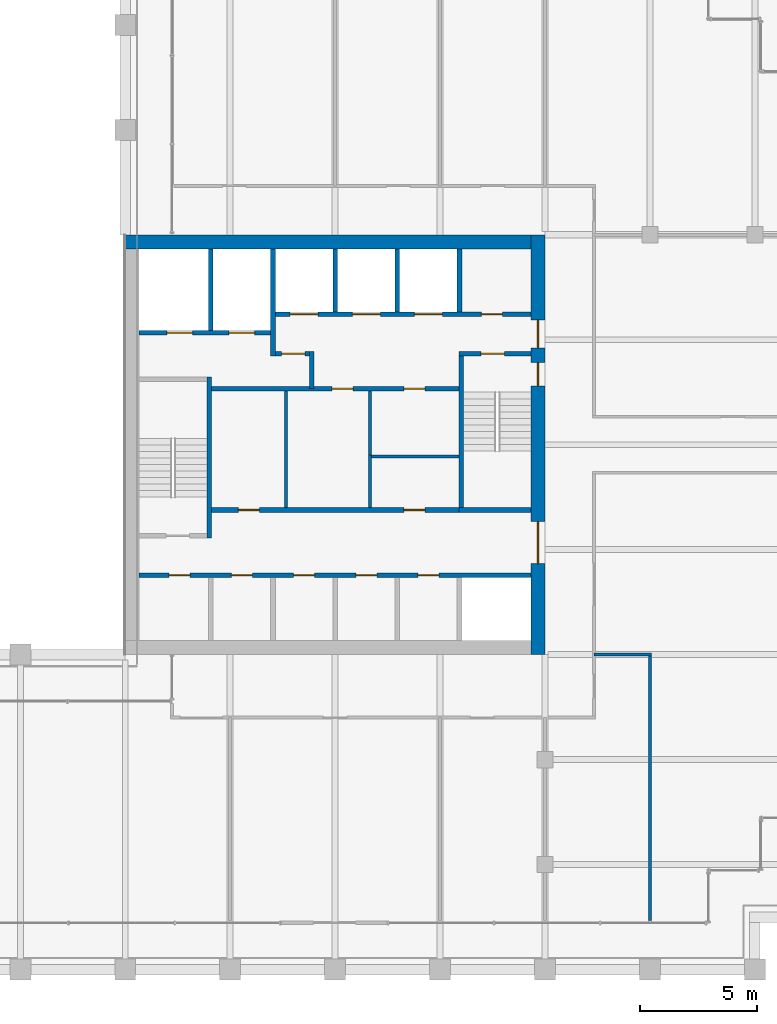
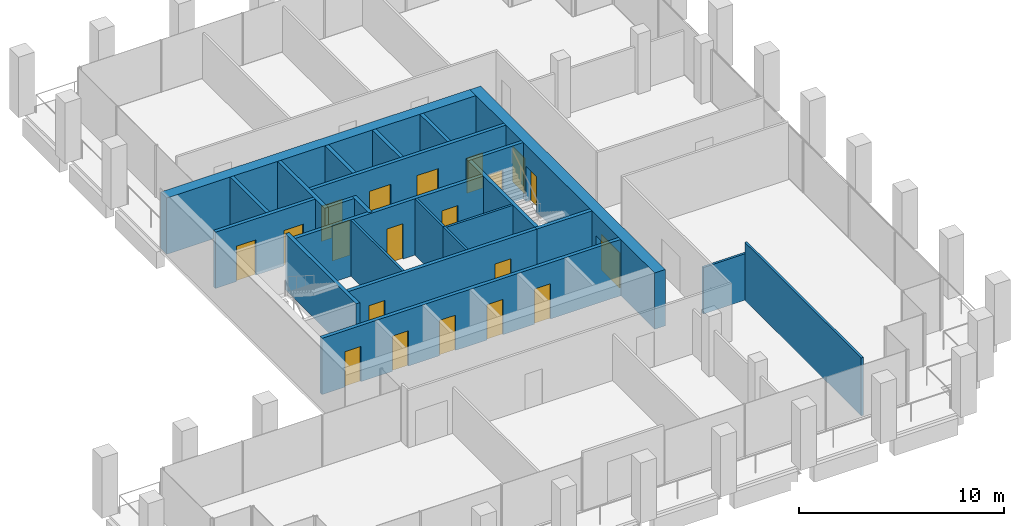
# One storey, part 36 of 40: 24 walls, 20 doors, 20 openings.
"""IFC4 building model written with IfcOpenShell, lengths in metres."""

from ifc_helpers import new_model, si_unit, direction, frame, frame_2d, origin, place, context, subcontext, project, spatial, rectangle, extrude, material, layer, layer_set, type_object, element, fill, save


model = new_model("IFC4")

# Units and contexts
model_context = context("Model", 3, precision=1e-05, world=origin(), true_north=direction((0.0, 1.0)))
body_context = subcontext(model_context, "Body", "Model", "MODEL_VIEW")
ifc_project = project(units=[si_unit("LENGTHUNIT", "METRE"), si_unit("AREAUNIT", "SQUARE_METRE"), si_unit("VOLUMEUNIT", "CUBIC_METRE"), si_unit("PLANEANGLEUNIT", "RADIAN"), si_unit("MASSUNIT", "GRAM", prefix="KILO")], contexts=[model_context])

# Site, building, storey
site_placement = place(None, origin())
site = spatial("IfcSite", under=ifc_project, at=site_placement, CompositionType="ELEMENT")
building_placement = place(site_placement, origin())
building = spatial("IfcBuilding", under=site, at=building_placement, Name="Altepetl Exchange Towers", CompositionType="ELEMENT")
storey_placement = place(building_placement, frame((0.0, 0.0, 169.0)))
storey = spatial("IfcBuildingStorey", under=building, at=storey_placement, Name="L42", CompositionType="ELEMENT", Elevation=169.0)

# Wall, openings, doors
ifc_material_1 = material(Name="Concrete C70/85", Category="concrete")
ifc_layer_1 = layer(ifc_material_1, 0.60009765625)
ifc_layer_set_1 = layer_set([ifc_layer_1], Name="Concrete C70/85")
wall_type_1 = type_object("IfcWallType", Name="Core wall 600 reinforced concrete", PredefinedType="SHEAR", material=ifc_layer_set_1)
wall_1_placement = place(storey_placement, frame((58.199951171875, 40.5, 0.0), z_axis=(0.0, 0.0, 1.0), x_axis=(0.0, 1.0, 0.0)))
wall_1 = element("IfcWall", 1, at=wall_1_placement, inside=storey, type_object=wall_type_1, Name="wall:A:L42:K-coreE", PredefinedType="SHEAR", context=body_context, shape_type="SweptSolid", body=[
    extrude(rectangle(XDim=18.0, YDim=0.60009765625, at=frame_2d((9.0, 0.0))), origin(), (0.0, 0.0, 1.0), 3.35009765625),
])
opening_1_placement = place(wall_1_placement, frame((13.14990234375, 0.0, 0.0)))
opening_1 = element("IfcOpeningElement", 2, at=opening_1_placement, cuts=wall_1, Name="Opening L42.A60", PredefinedType="OPENING", context=body_context, shape_type="SweptSolid", body=[
    extrude(rectangle(XDim=1.199951171875, YDim=2.10009765625, at=frame_2d((0.60009765625, 1.050048828125))), frame((0.0, 0.31005859375, 0.0), z_axis=(0.0, -1.0, 0.0), x_axis=(1.0, 0.0, 0.0)), (0.0, 0.0, 1.0), 0.6201171875),
])
opening_2_placement = place(wall_1_placement, frame((3.89990234375, 0.0, 0.0)))
opening_2 = element("IfcOpeningElement", 3, at=opening_2_placement, cuts=wall_1, Name="Opening L42.A61", PredefinedType="OPENING", context=body_context, shape_type="SweptSolid", body=[
    extrude(rectangle(XDim=1.800048828125, YDim=2.10009765625, at=frame_2d((0.89990234375, 1.050048828125))), frame((0.0, 0.31005859375, 0.0), z_axis=(0.0, -1.0, 0.0), x_axis=(1.0, 0.0, 0.0)), (0.0, 0.0, 1.0), 0.6201171875),
])
opening_3_placement = place(wall_1_placement, frame((11.52490234375, 0.0, 0.0)))
opening_3 = element("IfcOpeningElement", 4, at=opening_3_placement, cuts=wall_1, Name="Opening L42.A64", PredefinedType="OPENING", context=body_context, shape_type="SweptSolid", body=[
    extrude(rectangle(XDim=1.0, YDim=2.10009765625, at=frame_2d((0.5, 1.050048828125))), frame((0.0, 0.31005859375, 0.0), z_axis=(0.0, -1.0, 0.0), x_axis=(1.0, 0.0, 0.0)), (0.0, 0.0, 1.0), 0.6201171875),
])
ifc_material_2 = material(Name="Steel and timber fire door", Category="steel")
door_type_1 = type_object("IfcDoorType", Name="Fire door 1000 x 2100 stair and lobby", OperationType="SINGLE_SWING_LEFT", PredefinedType="DOOR", material=ifc_material_2)
door_1_placement = place(opening_3_placement, origin())
door_1 = element("IfcDoor", 5, at=door_1_placement, inside=storey, type_object=door_type_1, Name="door:A:L42:K-dS2x", OperationType="SINGLE_SWING_RIGHT", OverallHeight=2.10009765625, OverallWidth=1.0, PredefinedType="DOOR", context=body_context, shape_type="SweptSolid", body=[
    extrude(rectangle(XDim=1.0, YDim=2.10009765625, at=frame_2d((0.5, 1.050048828125))), frame((0.0, 0.02490234375, 0.0), z_axis=(0.0, -1.0, 0.0), x_axis=(1.0, 0.0, 0.0)), (0.0, 0.0, 1.0), 0.050048828125),
])
fill(opening_3, door_1)
door_type_2 = type_object("IfcDoorType", Name="Fire door 1200 x 2100 lobby entry", OperationType="SINGLE_SWING_LEFT", PredefinedType="DOOR", material=ifc_material_2)
door_2_placement = place(opening_1_placement, origin())
door_2 = element("IfcDoor", 6, at=door_2_placement, inside=storey, type_object=door_type_2, Name="door:A:L42:K-dLNE", OperationType="SINGLE_SWING_RIGHT", OverallHeight=2.10009765625, OverallWidth=1.199951171875, PredefinedType="DOOR", context=body_context, shape_type="SweptSolid", body=[
    extrude(rectangle(XDim=1.199951171875, YDim=2.10009765625, at=frame_2d((0.60009765625, 1.050048828125))), frame((0.0, 0.02490234375, 0.0), z_axis=(0.0, -1.0, 0.0), x_axis=(1.0, 0.0, 0.0)), (0.0, 0.0, 1.0), 0.050048828125),
])
fill(opening_1, door_2)
door_type_3 = type_object("IfcDoorType", Name="Fire door 1800 x 2100 lobby entry", OperationType="DOUBLE_DOOR_SINGLE_SWING", PredefinedType="DOOR", material=ifc_material_2)
door_3_placement = place(opening_2_placement, origin())
door_3 = element("IfcDoor", 7, at=door_3_placement, inside=storey, type_object=door_type_3, Name="door:A:L42:K-dLSE", OperationType="DOUBLE_DOOR_SINGLE_SWING", OverallHeight=2.10009765625, OverallWidth=1.800048828125, PredefinedType="DOOR", context=body_context, shape_type="SweptSolid", body=[
    extrude(rectangle(XDim=1.800048828125, YDim=2.10009765625, at=frame_2d((0.89990234375, 1.050048828125))), frame((0.0, 0.02490234375, 0.0), z_axis=(0.0, -1.0, 0.0), x_axis=(1.0, 0.0, 0.0)), (0.0, 0.0, 1.0), 0.050048828125),
])
fill(opening_2, door_3)

# Walls
wall_2_placement = place(storey_placement, frame((40.5, 58.199951171875, 0.0)))
element("IfcWall", 8, at=wall_2_placement, inside=storey, type_object=wall_type_1, Name="wall:A:L42:K-coreN", PredefinedType="SHEAR", context=body_context, shape_type="SweptSolid", body=[
    extrude(rectangle(XDim=17.39990234375, YDim=0.60009765625, at=frame_2d((8.699951171875, 0.0))), origin(), (0.0, 0.0, 1.0), 3.35009765625),
])
ifc_material_3 = material(Name="Concrete blockwork", Category="masonry")
ifc_layer_2 = layer(ifc_material_3, 0.199951171875)
ifc_layer_set_2 = layer_set([ifc_layer_2], Name="Concrete blockwork")
wall_type_2 = type_object("IfcWallType", Name="Lobby wall 200 blockwork", PredefinedType="PARTITIONING", material=ifc_layer_set_2)
wall_3_placement = place(storey_placement, frame((48.5, 51.89990234375, 0.0), z_axis=(0.0, 0.0, 1.0), x_axis=(0.0, 1.0, 0.0)))
element("IfcWall", 9, at=wall_3_placement, inside=storey, type_object=wall_type_2, Name="wall:A:L42:K-ffE", PredefinedType="PARTITIONING", context=body_context, shape_type="SweptSolid", body=[
    extrude(rectangle(XDim=1.60009765625, YDim=0.199951171875, at=frame_2d((0.800048828125, 0.0))), origin(), (0.0, 0.0, 1.0), 3.35009765625),
])

# Wall, opening, door
wall_4_placement = place(storey_placement, frame((46.933349609375, 53.39990234375, 0.0)))
wall_4 = element("IfcWall", 10, at=wall_4_placement, inside=storey, type_object=wall_type_2, Name="wall:A:L42:K-ffN", PredefinedType="PARTITIONING", context=body_context, shape_type="SweptSolid", body=[
    extrude(rectangle(XDim=1.466552734375, YDim=0.199951171875, at=frame_2d((0.7333984375, 0.0))), origin(), (0.0, 0.0, 1.0), 3.35009765625),
])
opening_4_placement = place(wall_4_placement, frame((0.2666015625, 0.0, 0.0)))
opening_4 = element("IfcOpeningElement", 11, at=opening_4_placement, cuts=wall_4, Name="Opening L42.A65", PredefinedType="OPENING", context=body_context, shape_type="SweptSolid", body=[
    extrude(rectangle(XDim=1.0, YDim=2.10009765625, at=frame_2d((0.5, 1.050048828125))), frame((0.0, 0.10986328125, 0.0), z_axis=(0.0, -1.0, 0.0), x_axis=(1.0, 0.0, 0.0)), (0.0, 0.0, 1.0), 0.219970703125),
])
door_4_placement = place(opening_4_placement, frame((1.0, 0.0, 0.0), x_axis=(-1.0, 0.0, 0.0)))
door_4 = element("IfcDoor", 12, at=door_4_placement, inside=storey, type_object=door_type_1, Name="door:A:L42:K-dffN", OperationType="SINGLE_SWING_LEFT", OverallHeight=2.10009765625, OverallWidth=1.0, PredefinedType="DOOR", context=body_context, shape_type="SweptSolid", body=[
    extrude(rectangle(XDim=1.0, YDim=2.10009765625, at=frame_2d((0.5, 1.050048828125))), frame((0.0, 0.02490234375, 0.0), z_axis=(0.0, -1.0, 0.0), x_axis=(1.0, 0.0, 0.0)), (0.0, 0.0, 1.0), 0.050048828125),
])
fill(opening_4, door_4)

# Wall, openings, doors
wall_5_placement = place(storey_placement, frame((44.199951171875, 51.89990234375, 0.0)))
wall_5 = element("IfcWall", 13, at=wall_5_placement, inside=storey, type_object=wall_type_2, Name="wall:A:L42:K-zoneN", PredefinedType="PARTITIONING", context=body_context, shape_type="SweptSolid", body=[
    extrude(rectangle(XDim=10.60009765625, YDim=0.199951171875, at=frame_2d((5.300048828125, 0.0))), origin(), (0.0, 0.0, 1.0), 3.35009765625),
])
opening_5_placement = place(wall_5_placement, frame((5.175048828125, 0.0, 0.0)))
opening_5 = element("IfcOpeningElement", 14, at=opening_5_placement, cuts=wall_5, Name="Opening L42.A73", PredefinedType="OPENING", context=body_context, shape_type="SweptSolid", body=[
    extrude(rectangle(XDim=0.89990234375, YDim=2.10009765625, at=frame_2d((0.449951171875, 1.050048828125))), frame((0.0, 0.10986328125, 0.0), z_axis=(0.0, -1.0, 0.0), x_axis=(1.0, 0.0, 0.0)), (0.0, 0.0, 1.0), 0.219970703125),
])
opening_6_placement = place(wall_5_placement, frame((8.25, 0.0, 0.0)))
opening_6 = element("IfcOpeningElement", 15, at=opening_6_placement, cuts=wall_5, Name="Opening L42.A75", PredefinedType="OPENING", context=body_context, shape_type="SweptSolid", body=[
    extrude(rectangle(XDim=0.89990234375, YDim=2.10009765625, at=frame_2d((0.449951171875, 1.050048828125))), frame((0.0, 0.10986328125, 0.0), z_axis=(0.0, -1.0, 0.0), x_axis=(1.0, 0.0, 0.0)), (0.0, 0.0, 1.0), 0.219970703125),
])
door_type_4 = type_object("IfcDoorType", Name="Fire door 900 x 2100 service room", OperationType="SINGLE_SWING_LEFT", PredefinedType="DOOR", material=ifc_material_2)
door_5_placement = place(opening_5_placement, frame((0.89990234375, 0.0, 0.0), x_axis=(-1.0, 0.0, 0.0)))
door_5 = element("IfcDoor", 16, at=door_5_placement, inside=storey, type_object=door_type_4, Name="door:A:L42:K-dz2", OperationType="SINGLE_SWING_LEFT", OverallHeight=2.10009765625, OverallWidth=0.89990234375, PredefinedType="DOOR", context=body_context, shape_type="SweptSolid", body=[
    extrude(rectangle(XDim=0.89990234375, YDim=2.10009765625, at=frame_2d((0.449951171875, 1.050048828125))), frame((0.0, 0.02490234375, 0.0), z_axis=(0.0, -1.0, 0.0), x_axis=(1.0, 0.0, 0.0)), (0.0, 0.0, 1.0), 0.050048828125),
])
fill(opening_5, door_5)
door_6_placement = place(opening_6_placement, frame((0.89990234375, 0.0, 0.0), x_axis=(-1.0, 0.0, 0.0)))
door_6 = element("IfcDoor", 17, at=door_6_placement, inside=storey, type_object=door_type_4, Name="door:A:L42:K-dz4", OperationType="SINGLE_SWING_LEFT", OverallHeight=2.10009765625, OverallWidth=0.89990234375, PredefinedType="DOOR", context=body_context, shape_type="SweptSolid", body=[
    extrude(rectangle(XDim=0.89990234375, YDim=2.10009765625, at=frame_2d((0.449951171875, 1.050048828125))), frame((0.0, 0.02490234375, 0.0), z_axis=(0.0, -1.0, 0.0), x_axis=(1.0, 0.0, 0.0)), (0.0, 0.0, 1.0), 0.050048828125),
])
fill(opening_6, door_6)

wall_6_placement = place(storey_placement, frame((44.199951171875, 46.699951171875, 0.0)))
wall_6 = element("IfcWall", 18, at=wall_6_placement, inside=storey, type_object=wall_type_2, Name="wall:A:L42:K-zoneS", PredefinedType="PARTITIONING", context=body_context, shape_type="SweptSolid", body=[
    extrude(rectangle(XDim=10.60009765625, YDim=0.199951171875, at=frame_2d((5.300048828125, 0.0))), origin(), (0.0, 0.0, 1.0), 3.35009765625),
])
opening_7_placement = place(wall_6_placement, frame((1.14990234375, 0.0, 0.0)))
opening_7 = element("IfcOpeningElement", 19, at=opening_7_placement, cuts=wall_6, Name="Opening L42.A72", PredefinedType="OPENING", context=body_context, shape_type="SweptSolid", body=[
    extrude(rectangle(XDim=0.89990234375, YDim=2.10009765625, at=frame_2d((0.449951171875, 1.050048828125))), frame((0.0, 0.10986328125, 0.0), z_axis=(0.0, -1.0, 0.0), x_axis=(1.0, 0.0, 0.0)), (0.0, 0.0, 1.0), 0.219970703125),
])
opening_8_placement = place(wall_6_placement, frame((8.25, 0.0, 0.0)))
opening_8 = element("IfcOpeningElement", 20, at=opening_8_placement, cuts=wall_6, Name="Opening L42.A74", PredefinedType="OPENING", context=body_context, shape_type="SweptSolid", body=[
    extrude(rectangle(XDim=0.89990234375, YDim=2.10009765625, at=frame_2d((0.449951171875, 1.050048828125))), frame((0.0, 0.10986328125, 0.0), z_axis=(0.0, -1.0, 0.0), x_axis=(1.0, 0.0, 0.0)), (0.0, 0.0, 1.0), 0.219970703125),
])
door_7_placement = place(opening_7_placement, origin())
door_7 = element("IfcDoor", 21, at=door_7_placement, inside=storey, type_object=door_type_4, Name="door:A:L42:K-dz1", OperationType="SINGLE_SWING_RIGHT", OverallHeight=2.10009765625, OverallWidth=0.89990234375, PredefinedType="DOOR", context=body_context, shape_type="SweptSolid", body=[
    extrude(rectangle(XDim=0.89990234375, YDim=2.10009765625, at=frame_2d((0.449951171875, 1.050048828125))), frame((0.0, 0.02490234375, 0.0), z_axis=(0.0, -1.0, 0.0), x_axis=(1.0, 0.0, 0.0)), (0.0, 0.0, 1.0), 0.050048828125),
])
fill(opening_7, door_7)
door_8_placement = place(opening_8_placement, origin())
door_8 = element("IfcDoor", 22, at=door_8_placement, inside=storey, type_object=door_type_4, Name="door:A:L42:K-dz3", OperationType="SINGLE_SWING_RIGHT", OverallHeight=2.10009765625, OverallWidth=0.89990234375, PredefinedType="DOOR", context=body_context, shape_type="SweptSolid", body=[
    extrude(rectangle(XDim=0.89990234375, YDim=2.10009765625, at=frame_2d((0.449951171875, 1.050048828125))), frame((0.0, 0.02490234375, 0.0), z_axis=(0.0, -1.0, 0.0), x_axis=(1.0, 0.0, 0.0)), (0.0, 0.0, 1.0), 0.050048828125),
])
fill(opening_8, door_8)

# Walls
ifc_material_4 = material(Name="Gypsum board on steel studs", Category="steel")
ifc_layer_3 = layer(ifc_material_4, 0.125)
ifc_layer_set_3 = layer_set([ifc_layer_3], Name="Gypsum board on steel studs")
wall_type_3 = type_object("IfcWallType", Name="Partition 125 gypsum board on steel studs", PredefinedType="PARTITIONING", material=ifc_layer_set_3)
wall_7_placement = place(storey_placement, frame((47.39990234375, 46.800048828125, 0.0), z_axis=(0.0, 0.0, 1.0), x_axis=(0.0, 1.0, 0.0)))
element("IfcWall", 23, at=wall_7_placement, inside=storey, type_object=wall_type_3, Name="wall:A:L42:K-zp1", PredefinedType="PARTITIONING", context=body_context, shape_type="SweptSolid", body=[
    extrude(rectangle(XDim=5.0, YDim=0.125, at=frame_2d((2.5, 0.0))), origin(), (0.0, 0.0, 1.0), 3.35009765625),
])
wall_8_placement = place(storey_placement, frame((51.0, 46.800048828125, 0.0), z_axis=(0.0, 0.0, 1.0), x_axis=(0.0, 1.0, 0.0)))
element("IfcWall", 24, at=wall_8_placement, inside=storey, type_object=wall_type_3, Name="wall:A:L42:K-zp2", PredefinedType="PARTITIONING", context=body_context, shape_type="SweptSolid", body=[
    extrude(rectangle(XDim=2.262451171875, YDim=0.125, at=frame_2d((1.13134765625, 0.0))), origin(), (0.0, 0.0, 1.0), 3.35009765625),
])
wall_9_placement = place(storey_placement, frame((54.800048828125, 49.0, 0.0), z_axis=(0.0, 0.0, 1.0), x_axis=(-1.0, 0.0, 0.0)))
element("IfcWall", 25, at=wall_9_placement, inside=storey, type_object=wall_type_3, Name="wall:A:L42:K-zp3", PredefinedType="PARTITIONING", context=body_context, shape_type="SweptSolid", body=[
    extrude(rectangle(XDim=3.737548828125, YDim=0.125, at=frame_2d((1.86865234375, 0.0))), origin(), (0.0, 0.0, 1.0), 3.35009765625),
])
wall_10_placement = place(storey_placement, frame((51.0, 49.0, 0.0), z_axis=(0.0, 0.0, 1.0), x_axis=(0.0, 1.0, 0.0)))
element("IfcWall", 26, at=wall_10_placement, inside=storey, type_object=wall_type_3, Name="wall:A:L42:K-zp4", PredefinedType="PARTITIONING", context=body_context, shape_type="SweptSolid", body=[
    extrude(rectangle(XDim=2.800048828125, YDim=0.125, at=frame_2d((1.39990234375, 0.0))), origin(), (0.0, 0.0, 1.0), 3.35009765625),
])
wall_11_placement = place(storey_placement, frame((60.60009765625, 40.5, 0.0)))
element("IfcWall", 27, at=wall_11_placement, inside=storey, type_object=wall_type_3, Name="wall:A:L42:P02", PredefinedType="PARTITIONING", context=body_context, shape_type="SweptSolid", body=[
    extrude(rectangle(XDim=2.46240234375, YDim=0.125, at=frame_2d((1.231201171875, 0.0))), origin(), (0.0, 0.0, 1.0), 2.76611328125),
])
wall_12_placement = place(storey_placement, frame((63.0, 29.10009765625, 0.0), z_axis=(0.0, 0.0, 1.0), x_axis=(0.0, 1.0, 0.0)))
element("IfcWall", 28, at=wall_12_placement, inside=storey, type_object=wall_type_3, Name="wall:A:L42:P20", PredefinedType="PARTITIONING", context=body_context, shape_type="SweptSolid", body=[
    extrude(rectangle(XDim=11.33740234375, YDim=0.125, at=frame_2d((5.668701171875, 0.0))), origin(), (0.0, 0.0, 1.0), 3.449951171875),
])
ifc_material_5 = material(Name="Concrete C40/50", Category="concrete")
ifc_layer_4 = layer(ifc_material_5, 0.199951171875)
ifc_layer_set_4 = layer_set([ifc_layer_4], Name="Concrete C40/50")
wall_type_4 = type_object("IfcWallType", Name="Shaft wall 200 reinforced concrete", PredefinedType="SHEAR", material=ifc_layer_set_4)
wall_13_placement = place(storey_placement, frame((44.166748046875, 57.89990234375, 0.0), z_axis=(0.0, 0.0, 1.0), x_axis=(0.0, -1.0, 0.0)))
element("IfcWall", 29, at=wall_13_placement, inside=storey, type_object=wall_type_4, Name="wall:A:L42:K-divN1", PredefinedType="SHEAR", context=body_context, shape_type="SweptSolid", body=[
    extrude(rectangle(XDim=3.5, YDim=0.199951171875, at=frame_2d((1.75, 0.0))), origin(), (0.0, 0.0, 1.0), 3.35009765625),
])
wall_14_placement = place(storey_placement, frame((46.833251953125, 57.89990234375, 0.0), z_axis=(0.0, 0.0, 1.0), x_axis=(0.0, -1.0, 0.0)))
element("IfcWall", 30, at=wall_14_placement, inside=storey, type_object=wall_type_4, Name="wall:A:L42:K-divN2", PredefinedType="SHEAR", context=body_context, shape_type="SweptSolid", body=[
    extrude(rectangle(XDim=4.599853515625, YDim=0.199951171875, at=frame_2d((2.2998046875, 0.0))), origin(), (0.0, 0.0, 1.0), 3.35009765625),
])
for number, where, z_axis, x_axis, name in (
    (31, (49.5, 57.89990234375, 0.0), (0.0, 0.0, 1.0), (0.0, -1.0, 0.0), "wall:A:L42:K-divN3"),
    (32, (52.166748046875, 57.89990234375, 0.0), (0.0, 0.0, 1.0), (0.0, -1.0, 0.0), "wall:A:L42:K-divN4"),
    (33, (54.833251953125, 57.89990234375, 0.0), (0.0, 0.0, 1.0), (0.0, -1.0, 0.0), "wall:A:L42:K-divN5"),
):
    element("IfcWall", number, at=place(storey_placement, frame(where, z_axis=z_axis, x_axis=x_axis)), inside=storey, type_object=wall_type_4, Name=name, PredefinedType="SHEAR", context=body_context, shape_type="SweptSolid", body=[
        extrude(rectangle(XDim=2.699951171875, YDim=0.199951171875, at=frame_2d((1.35009765625, 0.0))), origin(), (0.0, 0.0, 1.0), 3.35009765625),
    ])

# Wall, openings, doors
wall_15_placement = place(storey_placement, frame((46.933349609375, 55.10009765625, 0.0)))
wall_15 = element("IfcWall", 34, at=wall_15_placement, inside=storey, type_object=wall_type_4, Name="wall:A:L42:K-frontNb", PredefinedType="SHEAR", context=body_context, shape_type="SweptSolid", body=[
    extrude(rectangle(XDim=10.966552734375, YDim=0.199951171875, at=frame_2d((5.4833984375, 0.0))), origin(), (0.0, 0.0, 1.0), 3.35009765625),
])
opening_9_placement = place(wall_15_placement, frame((8.83349609375, 0.0, 0.0)))
opening_9 = element("IfcOpeningElement", 35, at=opening_9_placement, cuts=wall_15, Name="Opening L42.A66", PredefinedType="OPENING", context=body_context, shape_type="SweptSolid", body=[
    extrude(rectangle(XDim=0.89990234375, YDim=2.10009765625, at=frame_2d((0.449951171875, 1.050048828125))), frame((0.0, 0.10986328125, 0.0), z_axis=(0.0, -1.0, 0.0), x_axis=(1.0, 0.0, 0.0)), (0.0, 0.0, 1.0), 0.219970703125),
])
opening_10_placement = place(wall_15_placement, frame((0.63330078125, 0.0, 0.0)))
opening_10 = element("IfcOpeningElement", 36, at=opening_10_placement, cuts=wall_15, Name="Opening L42.A78", PredefinedType="OPENING", context=body_context, shape_type="SweptSolid", body=[
    extrude(rectangle(XDim=1.199951171875, YDim=2.10009765625, at=frame_2d((0.60009765625, 1.050048828125))), frame((0.0, 0.10986328125, 0.0), z_axis=(0.0, -1.0, 0.0), x_axis=(1.0, 0.0, 0.0)), (0.0, 0.0, 1.0), 0.219970703125),
])
opening_11_placement = place(wall_15_placement, frame((3.300048828125, 0.0, 0.0)))
opening_11 = element("IfcOpeningElement", 37, at=opening_11_placement, cuts=wall_15, Name="Opening L42.A79", PredefinedType="OPENING", context=body_context, shape_type="SweptSolid", body=[
    extrude(rectangle(XDim=1.199951171875, YDim=2.10009765625, at=frame_2d((0.60009765625, 1.050048828125))), frame((0.0, 0.10986328125, 0.0), z_axis=(0.0, -1.0, 0.0), x_axis=(1.0, 0.0, 0.0)), (0.0, 0.0, 1.0), 0.219970703125),
])
opening_12_placement = place(wall_15_placement, frame((5.966796875, 0.0, 0.0)))
opening_12 = element("IfcOpeningElement", 38, at=opening_12_placement, cuts=wall_15, Name="Opening L42.A80", PredefinedType="OPENING", context=body_context, shape_type="SweptSolid", body=[
    extrude(rectangle(XDim=1.199951171875, YDim=2.10009765625, at=frame_2d((0.60009765625, 1.050048828125))), frame((0.0, 0.10986328125, 0.0), z_axis=(0.0, -1.0, 0.0), x_axis=(1.0, 0.0, 0.0)), (0.0, 0.0, 1.0), 0.219970703125),
])
door_9_placement = place(opening_9_placement, origin())
door_9 = element("IfcDoor", 39, at=door_9_placement, inside=storey, type_object=door_type_4, Name="door:A:L42:K-driser", OperationType="SINGLE_SWING_RIGHT", OverallHeight=2.10009765625, OverallWidth=0.89990234375, PredefinedType="DOOR", context=body_context, shape_type="SweptSolid", body=[
    extrude(rectangle(XDim=0.89990234375, YDim=2.10009765625, at=frame_2d((0.449951171875, 1.050048828125))), frame((0.0, 0.02490234375, 0.0), z_axis=(0.0, -1.0, 0.0), x_axis=(1.0, 0.0, 0.0)), (0.0, 0.0, 1.0), 0.050048828125),
])
fill(opening_9, door_9)
ifc_material_6 = material(Name="Stainless steel", Category="steel")
door_type_5 = type_object("IfcDoorType", Name="Lift landing door 1200 x 2100", OperationType="SLIDING_TO_LEFT", PredefinedType="DOOR", material=ifc_material_6)
door_10_placement = place(opening_10_placement, origin())
door_10 = element("IfcDoor", 40, at=door_10_placement, inside=storey, type_object=door_type_5, Name="Landing door P5", OperationType="SLIDING_TO_LEFT", OverallHeight=2.10009765625, OverallWidth=1.199951171875, PredefinedType="DOOR", context=body_context, shape_type="SweptSolid", body=[
    extrude(rectangle(XDim=1.199951171875, YDim=2.10009765625, at=frame_2d((0.60009765625, 1.050048828125))), frame((0.0, 0.02490234375, 0.0), z_axis=(0.0, -1.0, 0.0), x_axis=(1.0, 0.0, 0.0)), (0.0, 0.0, 1.0), 0.050048828125),
])
fill(opening_10, door_10)
door_11_placement = place(opening_11_placement, origin())
door_11 = element("IfcDoor", 41, at=door_11_placement, inside=storey, type_object=door_type_5, Name="Landing door P6", OperationType="SLIDING_TO_LEFT", OverallHeight=2.10009765625, OverallWidth=1.199951171875, PredefinedType="DOOR", context=body_context, shape_type="SweptSolid", body=[
    extrude(rectangle(XDim=1.199951171875, YDim=2.10009765625, at=frame_2d((0.60009765625, 1.050048828125))), frame((0.0, 0.02490234375, 0.0), z_axis=(0.0, -1.0, 0.0), x_axis=(1.0, 0.0, 0.0)), (0.0, 0.0, 1.0), 0.050048828125),
])
fill(opening_11, door_11)
door_12_placement = place(opening_12_placement, origin())
door_12 = element("IfcDoor", 42, at=door_12_placement, inside=storey, type_object=door_type_5, Name="Landing door P7", OperationType="SLIDING_TO_LEFT", OverallHeight=2.10009765625, OverallWidth=1.199951171875, PredefinedType="DOOR", context=body_context, shape_type="SweptSolid", body=[
    extrude(rectangle(XDim=1.199951171875, YDim=2.10009765625, at=frame_2d((0.60009765625, 1.050048828125))), frame((0.0, 0.02490234375, 0.0), z_axis=(0.0, -1.0, 0.0), x_axis=(1.0, 0.0, 0.0)), (0.0, 0.0, 1.0), 0.050048828125),
])
fill(opening_12, door_12)

wall_16_placement = place(storey_placement, frame((41.10009765625, 54.300048828125, 0.0)))
wall_16 = element("IfcWall", 43, at=wall_16_placement, inside=storey, type_object=wall_type_4, Name="wall:A:L42:K-frontNd", PredefinedType="SHEAR", context=body_context, shape_type="SweptSolid", body=[
    extrude(rectangle(XDim=5.63330078125, YDim=0.199951171875, at=frame_2d((2.816650390625, 0.0))), origin(), (0.0, 0.0, 1.0), 3.35009765625),
])
opening_13_placement = place(wall_16_placement, frame((1.183349609375, 0.0, 0.0)))
opening_13 = element("IfcOpeningElement", 44, at=opening_13_placement, cuts=wall_16, Name="Opening L42.A76", PredefinedType="OPENING", context=body_context, shape_type="SweptSolid", body=[
    extrude(rectangle(XDim=1.10009765625, YDim=2.10009765625, at=frame_2d((0.550048828125, 1.050048828125))), frame((0.0, 0.10986328125, 0.0), z_axis=(0.0, -1.0, 0.0), x_axis=(1.0, 0.0, 0.0)), (0.0, 0.0, 1.0), 0.219970703125),
])
opening_14_placement = place(wall_16_placement, frame((3.85009765625, 0.0, 0.0)))
opening_14 = element("IfcOpeningElement", 45, at=opening_14_placement, cuts=wall_16, Name="Opening L42.A77", PredefinedType="OPENING", context=body_context, shape_type="SweptSolid", body=[
    extrude(rectangle(XDim=1.10009765625, YDim=2.10009765625, at=frame_2d((0.550048828125, 1.050048828125))), frame((0.0, 0.10986328125, 0.0), z_axis=(0.0, -1.0, 0.0), x_axis=(1.0, 0.0, 0.0)), (0.0, 0.0, 1.0), 0.219970703125),
])
door_type_6 = type_object("IfcDoorType", Name="Lift landing door 1100 x 2100", OperationType="SLIDING_TO_LEFT", PredefinedType="DOOR", material=ifc_material_6)
door_13_placement = place(opening_13_placement, origin())
door_13 = element("IfcDoor", 46, at=door_13_placement, inside=storey, type_object=door_type_6, Name="Landing door FFL1", OperationType="SLIDING_TO_LEFT", OverallHeight=2.10009765625, OverallWidth=1.10009765625, PredefinedType="DOOR", context=body_context, shape_type="SweptSolid", body=[
    extrude(rectangle(XDim=1.10009765625, YDim=2.10009765625, at=frame_2d((0.550048828125, 1.050048828125))), frame((0.0, 0.02490234375, 0.0), z_axis=(0.0, -1.0, 0.0), x_axis=(1.0, 0.0, 0.0)), (0.0, 0.0, 1.0), 0.050048828125),
])
fill(opening_13, door_13)
door_14_placement = place(opening_14_placement, origin())
door_14 = element("IfcDoor", 47, at=door_14_placement, inside=storey, type_object=door_type_6, Name="Landing door FFL2", OperationType="SLIDING_TO_LEFT", OverallHeight=2.10009765625, OverallWidth=1.10009765625, PredefinedType="DOOR", context=body_context, shape_type="SweptSolid", body=[
    extrude(rectangle(XDim=1.10009765625, YDim=2.10009765625, at=frame_2d((0.550048828125, 1.050048828125))), frame((0.0, 0.02490234375, 0.0), z_axis=(0.0, -1.0, 0.0), x_axis=(1.0, 0.0, 0.0)), (0.0, 0.0, 1.0), 0.050048828125),
])
fill(opening_14, door_14)

wall_17_placement = place(storey_placement, frame((41.10009765625, 43.89990234375, 0.0)))
wall_17 = element("IfcWall", 48, at=wall_17_placement, inside=storey, type_object=wall_type_4, Name="wall:A:L42:K-frontS", PredefinedType="SHEAR", context=body_context, shape_type="SweptSolid", body=[
    extrude(rectangle(XDim=16.7998046875, YDim=0.199951171875, at=frame_2d((8.39990234375, 0.0))), origin(), (0.0, 0.0, 1.0), 3.35009765625),
])
opening_15_placement = place(wall_17_placement, frame((1.283203125, 0.0, 0.0)))
opening_15 = element("IfcOpeningElement", 49, at=opening_15_placement, cuts=wall_17, Name="Opening L42.A67", PredefinedType="OPENING", context=body_context, shape_type="SweptSolid", body=[
    extrude(rectangle(XDim=0.89990234375, YDim=2.10009765625, at=frame_2d((0.449951171875, 1.050048828125))), frame((0.0, 0.10986328125, 0.0), z_axis=(0.0, -1.0, 0.0), x_axis=(1.0, 0.0, 0.0)), (0.0, 0.0, 1.0), 0.219970703125),
])
opening_16_placement = place(wall_17_placement, frame((3.949951171875, 0.0, 0.0)))
opening_16 = element("IfcOpeningElement", 50, at=opening_16_placement, cuts=wall_17, Name="Opening L42.A68", PredefinedType="OPENING", context=body_context, shape_type="SweptSolid", body=[
    extrude(rectangle(XDim=0.89990234375, YDim=2.10009765625, at=frame_2d((0.449951171875, 1.050048828125))), frame((0.0, 0.10986328125, 0.0), z_axis=(0.0, -1.0, 0.0), x_axis=(1.0, 0.0, 0.0)), (0.0, 0.0, 1.0), 0.219970703125),
])
opening_17_placement = place(wall_17_placement, frame((6.61669921875, 0.0, 0.0)))
opening_17 = element("IfcOpeningElement", 51, at=opening_17_placement, cuts=wall_17, Name="Opening L42.A69", PredefinedType="OPENING", context=body_context, shape_type="SweptSolid", body=[
    extrude(rectangle(XDim=0.89990234375, YDim=2.10009765625, at=frame_2d((0.449951171875, 1.050048828125))), frame((0.0, 0.10986328125, 0.0), z_axis=(0.0, -1.0, 0.0), x_axis=(1.0, 0.0, 0.0)), (0.0, 0.0, 1.0), 0.219970703125),
])
opening_18_placement = place(wall_17_placement, frame((9.283203125, 0.0, 0.0)))
opening_18 = element("IfcOpeningElement", 52, at=opening_18_placement, cuts=wall_17, Name="Opening L42.A70", PredefinedType="OPENING", context=body_context, shape_type="SweptSolid", body=[
    extrude(rectangle(XDim=0.89990234375, YDim=2.10009765625, at=frame_2d((0.449951171875, 1.050048828125))), frame((0.0, 0.10986328125, 0.0), z_axis=(0.0, -1.0, 0.0), x_axis=(1.0, 0.0, 0.0)), (0.0, 0.0, 1.0), 0.219970703125),
])
opening_19_placement = place(wall_17_placement, frame((11.949951171875, 0.0, 0.0)))
opening_19 = element("IfcOpeningElement", 53, at=opening_19_placement, cuts=wall_17, Name="Opening L42.A71", PredefinedType="OPENING", context=body_context, shape_type="SweptSolid", body=[
    extrude(rectangle(XDim=0.89990234375, YDim=2.10009765625, at=frame_2d((0.449951171875, 1.050048828125))), frame((0.0, 0.10986328125, 0.0), z_axis=(0.0, -1.0, 0.0), x_axis=(1.0, 0.0, 0.0)), (0.0, 0.0, 1.0), 0.219970703125),
])
door_15_placement = place(opening_15_placement, frame((0.89990234375, 0.0, 0.0), x_axis=(-1.0, 0.0, 0.0)))
door_15 = element("IfcDoor", 54, at=door_15_placement, inside=storey, type_object=door_type_4, Name="door:A:L42:K-dslotS0", OperationType="SINGLE_SWING_LEFT", OverallHeight=2.10009765625, OverallWidth=0.89990234375, PredefinedType="DOOR", context=body_context, shape_type="SweptSolid", body=[
    extrude(rectangle(XDim=0.89990234375, YDim=2.10009765625, at=frame_2d((0.449951171875, 1.050048828125))), frame((0.0, 0.02490234375, 0.0), z_axis=(0.0, -1.0, 0.0), x_axis=(1.0, 0.0, 0.0)), (0.0, 0.0, 1.0), 0.050048828125),
])
fill(opening_15, door_15)
door_16_placement = place(opening_16_placement, frame((0.89990234375, 0.0, 0.0), x_axis=(-1.0, 0.0, 0.0)))
door_16 = element("IfcDoor", 55, at=door_16_placement, inside=storey, type_object=door_type_4, Name="door:A:L42:K-dslotS1", OperationType="SINGLE_SWING_LEFT", OverallHeight=2.10009765625, OverallWidth=0.89990234375, PredefinedType="DOOR", context=body_context, shape_type="SweptSolid", body=[
    extrude(rectangle(XDim=0.89990234375, YDim=2.10009765625, at=frame_2d((0.449951171875, 1.050048828125))), frame((0.0, 0.02490234375, 0.0), z_axis=(0.0, -1.0, 0.0), x_axis=(1.0, 0.0, 0.0)), (0.0, 0.0, 1.0), 0.050048828125),
])
fill(opening_16, door_16)
door_17_placement = place(opening_17_placement, frame((0.89990234375, 0.0, 0.0), x_axis=(-1.0, 0.0, 0.0)))
door_17 = element("IfcDoor", 56, at=door_17_placement, inside=storey, type_object=door_type_4, Name="door:A:L42:K-dslotS2", OperationType="SINGLE_SWING_LEFT", OverallHeight=2.10009765625, OverallWidth=0.89990234375, PredefinedType="DOOR", context=body_context, shape_type="SweptSolid", body=[
    extrude(rectangle(XDim=0.89990234375, YDim=2.10009765625, at=frame_2d((0.449951171875, 1.050048828125))), frame((0.0, 0.02490234375, 0.0), z_axis=(0.0, -1.0, 0.0), x_axis=(1.0, 0.0, 0.0)), (0.0, 0.0, 1.0), 0.050048828125),
])
fill(opening_17, door_17)
door_18_placement = place(opening_18_placement, frame((0.89990234375, 0.0, 0.0), x_axis=(-1.0, 0.0, 0.0)))
door_18 = element("IfcDoor", 57, at=door_18_placement, inside=storey, type_object=door_type_4, Name="door:A:L42:K-dslotS3", OperationType="SINGLE_SWING_LEFT", OverallHeight=2.10009765625, OverallWidth=0.89990234375, PredefinedType="DOOR", context=body_context, shape_type="SweptSolid", body=[
    extrude(rectangle(XDim=0.89990234375, YDim=2.10009765625, at=frame_2d((0.449951171875, 1.050048828125))), frame((0.0, 0.02490234375, 0.0), z_axis=(0.0, -1.0, 0.0), x_axis=(1.0, 0.0, 0.0)), (0.0, 0.0, 1.0), 0.050048828125),
])
fill(opening_18, door_18)
door_19_placement = place(opening_19_placement, frame((0.89990234375, 0.0, 0.0), x_axis=(-1.0, 0.0, 0.0)))
door_19 = element("IfcDoor", 58, at=door_19_placement, inside=storey, type_object=door_type_4, Name="door:A:L42:K-dslotS4", OperationType="SINGLE_SWING_LEFT", OverallHeight=2.10009765625, OverallWidth=0.89990234375, PredefinedType="DOOR", context=body_context, shape_type="SweptSolid", body=[
    extrude(rectangle(XDim=0.89990234375, YDim=2.10009765625, at=frame_2d((0.449951171875, 1.050048828125))), frame((0.0, 0.02490234375, 0.0), z_axis=(0.0, -1.0, 0.0), x_axis=(1.0, 0.0, 0.0)), (0.0, 0.0, 1.0), 0.050048828125),
])
fill(opening_19, door_19)

# Wall
ifc_layer_5 = layer(ifc_material_5, 0.199951171875)
ifc_layer_set_5 = layer_set([ifc_layer_5], Name="Concrete C40/50")
wall_type_5 = type_object("IfcWallType", Name="Stair wall 200 reinforced concrete", PredefinedType="SHEAR", material=ifc_layer_set_5)
wall_18_placement = place(storey_placement, frame((44.10009765625, 45.5, 0.0), z_axis=(0.0, 0.0, 1.0), x_axis=(0.0, 1.0, 0.0)))
element("IfcWall", 59, at=wall_18_placement, inside=storey, type_object=wall_type_5, Name="wall:A:L42:K-stS1E", PredefinedType="SHEAR", context=body_context, shape_type="SweptSolid", body=[
    extrude(rectangle(XDim=6.89990234375, YDim=0.199951171875, at=frame_2d((3.449951171875, 0.0))), origin(), (0.0, 0.0, 1.0), 3.35009765625),
])

# Wall, opening, door
wall_19_placement = place(storey_placement, frame((54.800048828125, 53.39990234375, 0.0)))
wall_19 = element("IfcWall", 60, at=wall_19_placement, inside=storey, type_object=wall_type_5, Name="wall:A:L42:K-stS2N", PredefinedType="SHEAR", context=body_context, shape_type="SweptSolid", body=[
    extrude(rectangle(XDim=3.099853515625, YDim=0.199951171875, at=frame_2d((1.5498046875, 0.0))), origin(), (0.0, 0.0, 1.0), 3.35009765625),
])
opening_20_placement = place(wall_19_placement, frame((0.949951171875, 0.0, 0.0)))
opening_20 = element("IfcOpeningElement", 61, at=opening_20_placement, cuts=wall_19, Name="Opening L42.A63", PredefinedType="OPENING", context=body_context, shape_type="SweptSolid", body=[
    extrude(rectangle(XDim=1.0, YDim=2.10009765625, at=frame_2d((0.5, 1.050048828125))), frame((0.0, 0.10986328125, 0.0), z_axis=(0.0, -1.0, 0.0), x_axis=(1.0, 0.0, 0.0)), (0.0, 0.0, 1.0), 0.219970703125),
])
door_20_placement = place(opening_20_placement, frame((1.0, 0.0, 0.0), x_axis=(-1.0, 0.0, 0.0)))
door_20 = element("IfcDoor", 62, at=door_20_placement, inside=storey, type_object=door_type_1, Name="door:A:L42:K-dS2in", OperationType="SINGLE_SWING_LEFT", OverallHeight=2.10009765625, OverallWidth=1.0, PredefinedType="DOOR", context=body_context, shape_type="SweptSolid", body=[
    extrude(rectangle(XDim=1.0, YDim=2.10009765625, at=frame_2d((0.5, 1.050048828125))), frame((0.0, 0.02490234375, 0.0), z_axis=(0.0, -1.0, 0.0), x_axis=(1.0, 0.0, 0.0)), (0.0, 0.0, 1.0), 0.050048828125),
])
fill(opening_20, door_20)

# Walls
wall_20_placement = place(storey_placement, frame((54.800048828125, 46.699951171875, 0.0)))
element("IfcWall", 63, at=wall_20_placement, inside=storey, type_object=wall_type_5, Name="wall:A:L42:K-stS2S", PredefinedType="SHEAR", context=body_context, shape_type="SweptSolid", body=[
    extrude(rectangle(XDim=3.099853515625, YDim=0.199951171875, at=frame_2d((1.5498046875, 0.0))), origin(), (0.0, 0.0, 1.0), 3.35009765625),
])
wall_21_placement = place(storey_placement, frame((54.89990234375, 46.800048828125, 0.0), z_axis=(0.0, 0.0, 1.0), x_axis=(0.0, 1.0, 0.0)))
element("IfcWall", 64, at=wall_21_placement, inside=storey, type_object=wall_type_5, Name="wall:A:L42:K-stS2W", PredefinedType="SHEAR", context=body_context, shape_type="SweptSolid", body=[
    extrude(rectangle(XDim=6.5, YDim=0.199951171875, at=frame_2d((3.25, 0.0))), origin(), (0.0, 0.0, 1.0), 3.35009765625),
])

save(model, "model.ifc")
